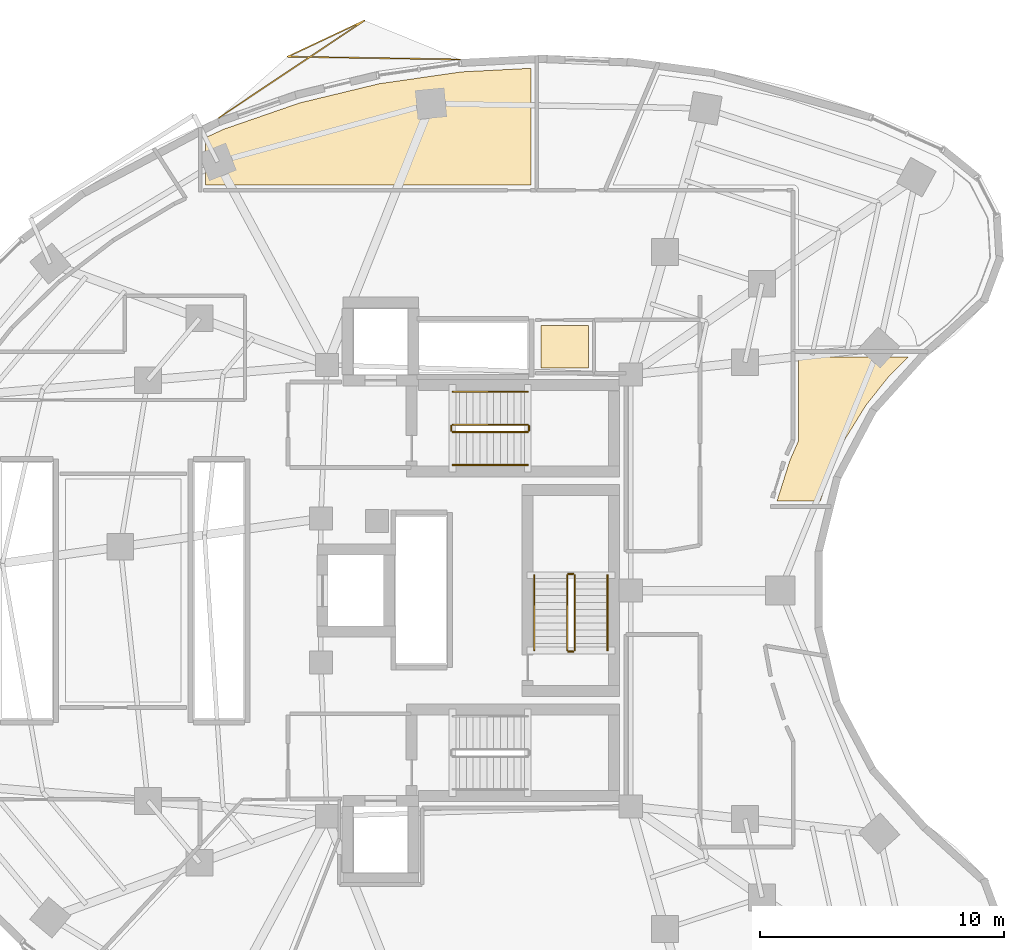
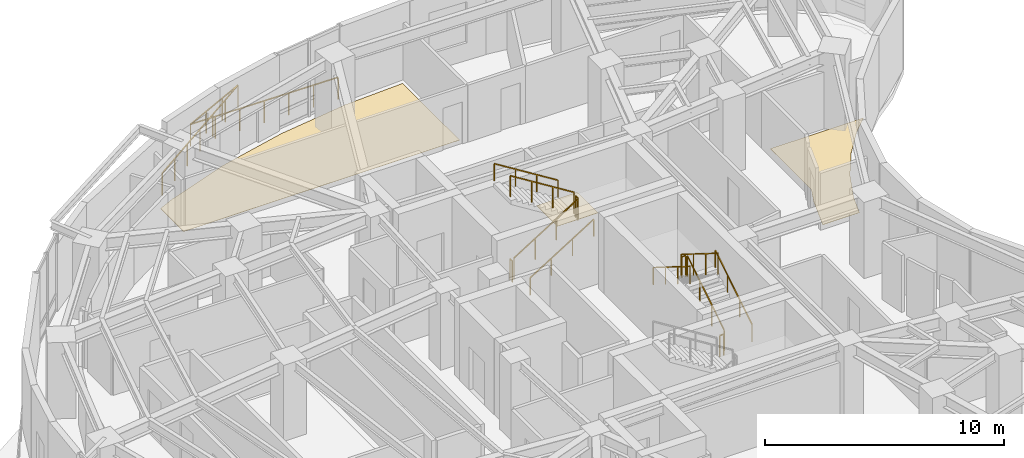
# One storey, part 13 of 14: 13 railings, 3 coverings.
"""IFC4 building model written with IfcOpenShell, lengths in metres."""

import ifcopenshell
import ifcopenshell.guid

model = None  # the IFC model being written
_history = None  # IfcOwnerHistory: only IFC2X3 demands one
_inside = {}  # id of a spatial element -> (the spatial element, [elements in it])
_under = {}  # id of a project, library or spatial element -> (it, [spatial elements below it])
_declared = {}  # id of a project -> (the project, [libraries it declares])
_typed = {}  # id of a type object -> (the type object, [elements of that type])
_made_of = {}  # id of a material, layer set ... -> (it, [elements and type objects made of it])


def new_model(schema):
    """Start an empty IFC model of exactly this schema.

    Asked for "IFC4X3", IfcOpenShell would pick the latest addendum, in which some entities
    have other attributes; the version numbers below select the first issue.
    IFC2X3 requires an IfcOwnerHistory on every rooted entity: one is made here for all.
    """
    global model, _history
    if schema == "IFC4X3":
        model = ifcopenshell.file(schema_version=(4, 3, 0, 0))
    else:
        model = ifcopenshell.file(schema=schema)
    _inside.clear()
    _under.clear()
    _declared.clear()
    _typed.clear()
    _made_of.clear()
    _history = None
    if model.schema == "IFC2X3":
        org = make("IfcOrganization", Name="unknown")
        user = make(
            "IfcPersonAndOrganization",
            ThePerson=make("IfcPerson", FamilyName="unknown"),
            TheOrganization=org,
        )
        app = make(
            "IfcApplication",
            ApplicationDeveloper=org,
            Version="unknown",
            ApplicationFullName="unknown",
            ApplicationIdentifier="unknown",
        )
        _history = make(
            "IfcOwnerHistory",
            OwningUser=user,
            OwningApplication=app,
            ChangeAction="ADDED",
            CreationDate=0,
        )
    return model


def make(cls, **values):
    """One entity of the class cls with the attributes given. An attribute that is None is left unset."""
    return model.create_entity(
        cls, **{name: value for name, value in values.items() if value is not None}
    )


def rooted(cls, **values):
    """An entity with a GlobalId (a new one), such as an element, a storey or a relation."""
    return make(cls, GlobalId=ifcopenshell.guid.new(), OwnerHistory=_history, **values)


def si_unit(unit_type, name, prefix=None):
    """IfcSIUnit, for example si_unit("LENGTHUNIT", "METRE", prefix="MILLI")."""
    return make("IfcSIUnit", UnitType=unit_type, Prefix=prefix, Name=name)


def assignment(units):
    """IfcUnitAssignment: the units of a project."""
    return None if units is None else make("IfcUnitAssignment", Units=units)


def point(xyz):
    """IfcCartesianPoint."""
    return None if xyz is None else make("IfcCartesianPoint", Coordinates=xyz)


def direction(xyz):
    """IfcDirection."""
    return None if xyz is None else make("IfcDirection", DirectionRatios=xyz)


def frame(location, z_axis=None, x_axis=None):
    """IfcAxis2Placement3D, a coordinate frame: its origin and axes. An axis left out is left unset."""
    return make(
        "IfcAxis2Placement3D",
        Location=point(location),
        Axis=direction(z_axis),
        RefDirection=direction(x_axis),
    )


def frame_2d(location, x_axis=None):
    """IfcAxis2Placement2D, a coordinate frame in the plane: its origin and x axis."""
    return make(
        "IfcAxis2Placement2D", Location=point(location), RefDirection=direction(x_axis)
    )


def origin():
    """The frame at (0, 0, 0) with its axes left unset."""
    return frame((0.0, 0.0, 0.0))


def origin_2d():
    """The frame at (0, 0) in the plane with its x axis left unset."""
    return frame_2d((0.0, 0.0))


def place(relative_to, where):
    """IfcLocalPlacement: puts the frame where relative to a parent placement (None: the world)."""
    return make(
        "IfcLocalPlacement", PlacementRelTo=relative_to, RelativePlacement=where
    )


def context(
    kind, dimensions, precision=None, world=None, true_north=None, identifier=None
):
    """IfcGeometricRepresentationContext, for example the 3D "Model" context."""
    return make(
        "IfcGeometricRepresentationContext",
        ContextIdentifier=identifier,
        ContextType=kind,
        CoordinateSpaceDimension=dimensions,
        Precision=precision,
        WorldCoordinateSystem=world,
        TrueNorth=true_north,
    )


def subcontext(parent, identifier, kind, view, scale=None):
    """IfcGeometricRepresentationSubContext, for example "Body" below "Model"."""
    return make(
        "IfcGeometricRepresentationSubContext",
        ContextIdentifier=identifier,
        ContextType=kind,
        ParentContext=parent,
        TargetScale=scale,
        TargetView=view,
    )


def project(units=None, contexts=None):
    """IfcProject with its units and contexts."""
    return rooted(
        "IfcProject",
        Name="project",
        RepresentationContexts=contexts,
        UnitsInContext=assignment(units),
    )


def spatial(cls, under=None, at=None, **own):
    """A site, building, storey or space (cls), placed at a placement, below another one or the project."""
    s = rooted(cls, ObjectPlacement=at, **own)
    if under is not None:
        _under.setdefault(under.id(), (under, []))[1].append(s)
    return s


def polyline(points):
    """IfcPolyline through the points."""
    return make("IfcPolyline", Points=[point(p) for p in points])


def profile(cls, at=None, kind="AREA", **sizes):
    """A parametric profile (cls). Its sizes go by their IFC names, for example OverallWidth=200.0."""
    return make(cls, ProfileType=kind, Position=at, **sizes)


def rectangle(**sizes):
    """IfcRectangleProfileDef."""
    return profile("IfcRectangleProfileDef", **sizes)


def outline(outer, holes=None, kind="AREA"):
    """IfcArbitraryClosedProfileDef: a profile drawn as a closed curve; with holes, ...WithVoids."""
    if holes is None:
        return make("IfcArbitraryClosedProfileDef", ProfileType=kind, OuterCurve=outer)
    return make(
        "IfcArbitraryProfileDefWithVoids",
        ProfileType=kind,
        OuterCurve=outer,
        InnerCurves=holes,
    )


def extrude(swept, where, along, depth):
    """IfcExtrudedAreaSolid: the profile swept, set in the frame where, extruded along a direction by depth."""
    return make(
        "IfcExtrudedAreaSolid",
        SweptArea=swept,
        Position=where,
        ExtrudedDirection=direction(along),
        Depth=depth,
    )


def shape(context_of_items, identifier, shape_type, items):
    """IfcShapeRepresentation: the items that make up one representation, for example the "Body"."""
    return make(
        "IfcShapeRepresentation",
        ContextOfItems=context_of_items,
        RepresentationIdentifier=identifier,
        RepresentationType=shape_type,
        Items=items,
    )


def material(Name=None, Category=None):
    """IfcMaterial."""
    return make("IfcMaterial", Name=Name, Category=Category)


def layer(
    of_material, thickness, ventilated=None, Name=None, Category=None, Priority=None
):
    """IfcMaterialLayer: one layer of a wall or slab, of a material (None: an air gap)."""
    return make(
        "IfcMaterialLayer",
        Material=of_material,
        LayerThickness=thickness,
        IsVentilated=ventilated,
        Name=Name,
        Category=Category,
        Priority=Priority,
    )


def layer_set(layers, Name=None):
    """IfcMaterialLayerSet."""
    return make("IfcMaterialLayerSet", MaterialLayers=layers, LayerSetName=Name)


def made_of(thing, what):
    """Note that an element or type object is made of a material, layer set ...; save() writes the relation."""
    if what is not None:
        _made_of.setdefault(what.id(), (what, []))[1].append(thing)
    return thing


def type_object(cls, material=None, **own):
    """A type object (cls), such as IfcWallType, which elements share."""
    return made_of(rooted(cls, **own), material)


def element(
    cls,
    number,
    at=None,
    inside=None,
    cuts=None,
    type_object=None,
    material=None,
    context=None,
    identifier="Body",
    shape_type=None,
    held_by="IfcProductDefinitionShape",
    body=None,
    shapes=None,
    **own,
):
    """One element of the class cls, such as IfcWall. Its Tag is "e" and its number.

    at: its placement. inside: the storey or other place that contains it. cuts: it is an
    opening in that element (IfcRelVoidsElement). A single representation is given by context,
    identifier, shape_type and body (its items); several are given by shapes. held_by: the class
    of the entity that holds the representations. save() writes the other relations.
    """
    e = rooted(cls, Tag="e%d" % number, ObjectPlacement=at, **own)
    if body is not None:
        shapes = [shape(context, identifier, shape_type, body)]
    if shapes is not None:
        e.Representation = make(held_by, Representations=shapes)
    if inside is not None:
        _inside.setdefault(inside.id(), (inside, []))[1].append(e)
    if cuts is not None:
        rooted(
            "IfcRelVoidsElement", RelatingBuildingElement=cuts, RelatedOpeningElement=e
        )
    if type_object is not None:
        _typed.setdefault(type_object.id(), (type_object, []))[1].append(e)
    return made_of(e, material)


def aggregate(whole, parts):
    """IfcRelAggregates: a whole, such as a stair, and the parts it consists of."""
    return rooted("IfcRelAggregates", RelatingObject=whole, RelatedObjects=parts)


def save(model, path):
    """Write the relations noted so far, then the file.

    IfcRelAggregates (storeys below a building ...), IfcRelContainedInSpatialStructure (elements
    in a storey), IfcRelDefinesByType, IfcRelAssociatesMaterial and IfcRelDeclares: one each for
    every whole, place, type object, material and project.
    """
    for whole, parts in _under.values():
        aggregate(whole, parts)
    for where, things in _inside.values():
        rooted(
            "IfcRelContainedInSpatialStructure",
            RelatedElements=things,
            RelatingStructure=where,
        )
    for kind, things in _typed.values():
        rooted("IfcRelDefinesByType", RelatedObjects=things, RelatingType=kind)
    for what, things in _made_of.values():
        rooted("IfcRelAssociatesMaterial", RelatedObjects=things, RelatingMaterial=what)
    for by, libraries in _declared.values():
        rooted("IfcRelDeclares", RelatingContext=by, RelatedDefinitions=libraries)
    model.write(path)


model = new_model("IFC4")

# Units and contexts
model_context = context("Model", 3, precision=1e-05, world=origin(), true_north=direction((0.0, 1.0)))
body_context = subcontext(model_context, "Body", "Model", "MODEL_VIEW")
ifc_project = project(units=[si_unit("LENGTHUNIT", "METRE"), si_unit("AREAUNIT", "SQUARE_METRE"), si_unit("VOLUMEUNIT", "CUBIC_METRE"), si_unit("PLANEANGLEUNIT", "RADIAN"), si_unit("MASSUNIT", "GRAM", prefix="KILO")], contexts=[model_context])

# Site, building, storey
site_placement = place(None, origin())
site = spatial("IfcSite", under=ifc_project, at=site_placement, CompositionType="ELEMENT")
building_placement = place(site_placement, origin())
building = spatial("IfcBuilding", under=site, at=building_placement, Name="Korentha Bioscience Tower", CompositionType="ELEMENT")
storey_placement = place(building_placement, frame((0.0, 0.0, 102.60009765625)))
storey = spatial("IfcBuildingStorey", under=building, at=storey_placement, Name="L23", CompositionType="ELEMENT", Elevation=102.60009765625)

# Covering
ifc_material_1 = material(Name="Vitrified Porcelain Tile", Category="ceramic")
ifc_layer_1 = layer(ifc_material_1, 0.014892578125, Name="Vitrified Porcelain Tile")
ifc_layer_set_1 = layer_set([ifc_layer_1], Name="Vitrified Porcelain Tile (FL-CER)")
covering_type_1 = type_object("IfcCoveringType", Name="Anti-Slip Ceramic Wet-Room Tile Flooring 15", PredefinedType="FLOORING", material=ifc_layer_set_1)
covering_1_placement = place(storey_placement, origin())
element("IfcCovering", 1, at=covering_1_placement, inside=storey, type_object=covering_type_1, Name="L23 Accessible Staff WC Floor Finish", PredefinedType="FLOORING", context=body_context, shape_type="SweptSolid", body=[
    extrude(outline(polyline([(33.8701171875, 36.1298828125), (33.8701171875, 37.8701171875), (35.830078125, 37.8701171875), (35.830078125, 36.1298828125), (33.8701171875, 36.1298828125)])), origin(), (0.0, 0.0, 1.0), 0.014892578125),
])

# Railings
ifc_material_2 = material(Name="Stainless Steel 304", Category="steel")
railing_type_1 = type_object("IfcRailingType", Name="Brushed Stainless Stair Handrail 900", PredefinedType="HANDRAIL", material=ifc_material_2)
railing_1_placement = place(storey_placement, frame((30.25, 32.14990234375, 0.1748046875)))
element("IfcRailing", 2, at=railing_1_placement, inside=storey, type_object=railing_type_1, Name="L23 ST-1 stair handrail 1", PredefinedType="HANDRAIL", context=body_context, shape_type="SweptSolid", body=[
    extrude(rectangle(XDim=0.048095703125, YDim=0.048095703125, at=origin_2d()), frame((0.0, 0.0, 0.8759765625), z_axis=(0.847998304005, 0.0, 0.529998940003), x_axis=(0.0, 1.0, 0.0)), (0.0, 0.0, 1.0), 3.632080078125),
    extrude(rectangle(XDim=0.0419921875, YDim=0.0419921875, at=origin_2d()), origin(), (0.0, 0.0, 1.0), 0.851806640625),
    extrude(rectangle(XDim=0.0419921875, YDim=0.0419921875, at=origin_2d()), frame((1.026611328125, 0.0, 0.6416015625)), (0.0, 0.0, 1.0), 0.851806640625),
    extrude(rectangle(XDim=0.0419921875, YDim=0.0419921875, at=origin_2d()), frame((2.053466796875, 0.0, 1.283447265625)), (0.0, 0.0, 1.0), 0.851806640625),
    extrude(rectangle(XDim=0.0419921875, YDim=0.0419921875, at=origin_2d()), frame((3.080078125, 0.0, 1.925048828125)), (0.0, 0.0, 1.0), 0.851806640625),
])
railing_2_placement = place(storey_placement, frame((33.330078125, 35.14990234375, 2.27490234375)))
element("IfcRailing", 3, at=railing_2_placement, inside=storey, type_object=railing_type_1, Name="L23 ST-1 stair handrail 2", PredefinedType="HANDRAIL", context=body_context, shape_type="SweptSolid", body=[
    extrude(rectangle(XDim=0.048095703125, YDim=0.048095703125, at=origin_2d()), frame((0.0, 0.0, 0.8759765625), z_axis=(-0.847998304005, 0.0, 0.529998940003), x_axis=(0.0, -1.0, 0.0)), (0.0, 0.0, 1.0), 3.632080078125),
    extrude(rectangle(XDim=0.0419921875, YDim=0.0419921875, at=origin_2d()), origin(), (0.0, 0.0, 1.0), 0.851806640625),
    extrude(rectangle(XDim=0.0419921875, YDim=0.0419921875, at=origin_2d()), frame((-1.026611328125, 0.0, 0.6416015625)), (0.0, 0.0, 1.0), 0.851806640625),
    extrude(rectangle(XDim=0.0419921875, YDim=0.0419921875, at=origin_2d()), frame((-2.053466796875, 0.0, 1.283447265625)), (0.0, 0.0, 1.0), 0.851806640625),
    extrude(rectangle(XDim=0.0419921875, YDim=0.0419921875, at=origin_2d()), frame((-3.080078125, 0.0, 1.925048828125)), (0.0, 0.0, 1.0), 0.851806640625),
])
railing_3_placement = place(storey_placement, frame((36.60009765625, 24.550048828125, 0.1748046875)))
element("IfcRailing", 4, at=railing_3_placement, inside=storey, type_object=railing_type_1, Name="L23 ST-3 stair handrail 1", PredefinedType="HANDRAIL", context=body_context, shape_type="SweptSolid", body=[
    extrude(rectangle(XDim=0.048095703125, YDim=0.048095703125, at=origin_2d()), frame((0.0, 0.0, 0.8759765625), z_axis=(0.0, 0.847979421464, 0.530029150871), x_axis=(-1.0, 0.0, 0.0)), (0.0, 0.0, 1.0), 3.632080078125),
    extrude(rectangle(XDim=0.0419921875, YDim=0.0419921875, at=origin_2d()), origin(), (0.0, 0.0, 1.0), 0.851806640625),
    extrude(rectangle(XDim=0.0419921875, YDim=0.0419921875, at=origin_2d()), frame((0.0, 1.026611328125, 0.6416015625)), (0.0, 0.0, 1.0), 0.851806640625),
    extrude(rectangle(XDim=0.0419921875, YDim=0.0419921875, at=origin_2d()), frame((0.0, 2.05322265625, 1.283447265625)), (0.0, 0.0, 1.0), 0.851806640625),
    extrude(rectangle(XDim=0.0419921875, YDim=0.0419921875, at=origin_2d()), frame((0.0, 3.079833984375, 1.925048828125)), (0.0, 0.0, 1.0), 0.851806640625),
])
railing_4_placement = place(storey_placement, frame((33.60009765625, 27.6298828125, 2.27490234375)))
element("IfcRailing", 5, at=railing_4_placement, inside=storey, type_object=railing_type_1, Name="L23 ST-3 stair handrail 2", PredefinedType="HANDRAIL", context=body_context, shape_type="SweptSolid", body=[
    extrude(rectangle(XDim=0.048095703125, YDim=0.048095703125, at=origin_2d()), frame((0.0, 0.0, 0.8759765625), z_axis=(0.0, -0.847979421464, 0.530029150871), x_axis=(1.0, 0.0, 0.0)), (0.0, 0.0, 1.0), 3.632080078125),
    extrude(rectangle(XDim=0.0419921875, YDim=0.0419921875, at=origin_2d()), origin(), (0.0, 0.0, 1.0), 0.851806640625),
    extrude(rectangle(XDim=0.0419921875, YDim=0.0419921875, at=origin_2d()), frame((0.0, -1.026611328125, 0.6416015625)), (0.0, 0.0, 1.0), 0.851806640625),
    extrude(rectangle(XDim=0.0419921875, YDim=0.0419921875, at=origin_2d()), frame((0.0, -2.05322265625, 1.283447265625)), (0.0, 0.0, 1.0), 0.851806640625),
    extrude(rectangle(XDim=0.0419921875, YDim=0.0419921875, at=origin_2d()), frame((0.0, -3.079833984375, 1.925048828125)), (0.0, 0.0, 1.0), 0.851806640625),
])
ifc_material_3 = material(Name="Laminated Tempered Safety Glass", Category="glass")
railing_type_2 = type_object("IfcRailingType", Name="Laminated Glass Balcony Guardrail 1150", PredefinedType="BALUSTRADE", material=ifc_material_3)
railing_5_placement = place(storey_placement, frame((30.558349609375, 48.7685546875, 0.0)))
element("IfcRailing", 6, at=railing_5_placement, inside=storey, type_object=railing_type_2, Name="L23 Balcony Guardrail 01", PredefinedType="BALUSTRADE", context=body_context, shape_type="SweptSolid", body=[
    extrude(rectangle(XDim=0.048095703125, YDim=0.048095703125, at=origin_2d()), frame((0.0, 0.0, 1.1259765625), z_axis=(-0.999865487558, 0.01640142648, 0.0), x_axis=(-0.01640142648, -0.999865487558, 0.0)), (0.0, 0.0, 1.0), 7.070556640625),
    extrude(rectangle(XDim=0.048095703125, YDim=0.048095703125, at=origin_2d()), frame((-7.069580078125, 0.115966796875, 1.1259765625), z_axis=(0.904931572143, 0.425557105144, 0.0), x_axis=(-0.425557105144, 0.904931572143, 0.0)), (0.0, 0.0, 1.0), 3.4794921875),
    extrude(rectangle(XDim=0.048095703125, YDim=0.048095703125, at=origin_2d()), frame((-3.9208984375, 1.5966796875, 1.1259765625), z_axis=(-0.831683894914, -0.555249402468, 0.0), x_axis=(0.555249402468, -0.831683894914, 0.0)), (0.0, 0.0, 1.0), 7.179443359375),
    extrude(rectangle(XDim=0.0419921875, YDim=0.0419921875, at=origin_2d()), origin(), (0.0, 0.0, 1.0), 1.101806640625),
    extrude(rectangle(XDim=0.0419921875, YDim=0.0419921875, at=origin_2d()), frame((-1.17822265625, 0.019287109375, 0.0)), (0.0, 0.0, 1.0), 1.101806640625),
    extrude(rectangle(XDim=0.0419921875, YDim=0.0419921875, at=origin_2d()), frame((-2.3564453125, 0.03857421875, 0.0)), (0.0, 0.0, 1.0), 1.101806640625),
    extrude(rectangle(XDim=0.0419921875, YDim=0.0419921875, at=origin_2d()), frame((-3.53466796875, 0.05810546875, 0.0)), (0.0, 0.0, 1.0), 1.101806640625),
    extrude(rectangle(XDim=0.0419921875, YDim=0.0419921875, at=origin_2d()), frame((-4.713134765625, 0.077392578125, 0.0)), (0.0, 0.0, 1.0), 1.101806640625),
    extrude(rectangle(XDim=0.0419921875, YDim=0.0419921875, at=origin_2d()), frame((-5.891357421875, 0.0966796875, 0.0)), (0.0, 0.0, 1.0), 1.101806640625),
    extrude(rectangle(XDim=0.0419921875, YDim=0.0419921875, at=origin_2d()), frame((-7.069580078125, 0.115966796875, 0.0)), (0.0, 0.0, 1.0), 1.101806640625),
    extrude(rectangle(XDim=0.0419921875, YDim=0.0419921875, at=origin_2d()), frame((-6.02001953125, 0.609619140625, 0.0)), (0.0, 0.0, 1.0), 1.101806640625),
    extrude(rectangle(XDim=0.0419921875, YDim=0.0419921875, at=origin_2d()), frame((-4.970458984375, 1.10302734375, 0.0)), (0.0, 0.0, 1.0), 1.101806640625),
    extrude(rectangle(XDim=0.0419921875, YDim=0.0419921875, at=origin_2d()), frame((-3.9208984375, 1.5966796875, 0.0)), (0.0, 0.0, 1.0), 1.101806640625),
    extrude(rectangle(XDim=0.0419921875, YDim=0.0419921875, at=origin_2d()), frame((-4.916015625, 0.932373046875, 0.0)), (0.0, 0.0, 1.0), 1.101806640625),
    extrude(rectangle(XDim=0.0419921875, YDim=0.0419921875, at=origin_2d()), frame((-5.9111328125, 0.267822265625, 0.0)), (0.0, 0.0, 1.0), 1.101806640625),
    extrude(rectangle(XDim=0.0419921875, YDim=0.0419921875, at=origin_2d()), frame((-6.90625, -0.396484375, 0.0)), (0.0, 0.0, 1.0), 1.101806640625),
    extrude(rectangle(XDim=0.0419921875, YDim=0.0419921875, at=origin_2d()), frame((-7.901611328125, -1.060791015625, 0.0)), (0.0, 0.0, 1.0), 1.101806640625),
    extrude(rectangle(XDim=0.0419921875, YDim=0.0419921875, at=origin_2d()), frame((-8.896728515625, -1.725341796875, 0.0)), (0.0, 0.0, 1.0), 1.101806640625),
    extrude(rectangle(XDim=0.0419921875, YDim=0.0419921875, at=origin_2d()), frame((-9.891845703125, -2.3896484375, 0.0)), (0.0, 0.0, 1.0), 1.101806640625),
])
ifc_material_4 = material(Name="Painted Steel S275", Category="steel")
railing_type_3 = type_object("IfcRailingType", Name="Painted Steel Stair Well Guardrail 1100", PredefinedType="GUARDRAIL", material=ifc_material_4)
railing_6_placement = place(storey_placement, frame((30.25, 33.5, 0.1748046875)))
element("IfcRailing", 7, at=railing_6_placement, inside=storey, type_object=railing_type_3, Name="L23 ST-1 stair guard 1", PredefinedType="GUARDRAIL", context=body_context, shape_type="SweptSolid", body=[
    extrude(rectangle(XDim=0.048095703125, YDim=0.048095703125, at=origin_2d()), frame((0.0, 0.0, 1.076171875), z_axis=(0.847998304005, 0.0, 0.529998940003), x_axis=(0.0, 1.0, 0.0)), (0.0, 0.0, 1.0), 3.632080078125),
    extrude(rectangle(XDim=0.0419921875, YDim=0.0419921875, at=origin_2d()), origin(), (0.0, 0.0, 1.0), 1.052001953125),
    extrude(rectangle(XDim=0.0419921875, YDim=0.0419921875, at=origin_2d()), frame((1.026611328125, 0.0, 0.6416015625)), (0.0, 0.0, 1.0), 1.052001953125),
    extrude(rectangle(XDim=0.0419921875, YDim=0.0419921875, at=origin_2d()), frame((2.053466796875, 0.0, 1.283447265625)), (0.0, 0.0, 1.0), 1.052001953125),
    extrude(rectangle(XDim=0.0419921875, YDim=0.0419921875, at=origin_2d()), frame((3.080078125, 0.0, 1.925048828125)), (0.0, 0.0, 1.0), 1.052001953125),
])
railing_7_placement = place(storey_placement, frame((33.3798828125, 33.550048828125, 2.099853515625)))
element("IfcRailing", 8, at=railing_7_placement, inside=storey, type_object=railing_type_3, Name="L23 ST-1 stair guard 2", PredefinedType="GUARDRAIL", context=body_context, shape_type="SweptSolid", body=[
    extrude(rectangle(XDim=0.048095703125, YDim=0.048095703125, at=origin_2d()), frame((0.0, 0.0, 1.076171875), z_axis=(0.0, 1.0, 0.0), x_axis=(-1.0, 0.0, 0.0)), (0.0, 0.0, 1.0), 0.199951171875),
    extrude(rectangle(XDim=0.0419921875, YDim=0.0419921875, at=origin_2d()), origin(), (0.0, 0.0, 1.0), 1.052001953125),
    extrude(rectangle(XDim=0.0419921875, YDim=0.0419921875, at=origin_2d()), frame((0.0, 0.199951171875, 0.0)), (0.0, 0.0, 1.0), 1.052001953125),
])
railing_8_placement = place(storey_placement, frame((33.330078125, 33.800048828125, 2.27490234375)))
element("IfcRailing", 9, at=railing_8_placement, inside=storey, type_object=railing_type_3, Name="L23 ST-1 stair guard 3", PredefinedType="GUARDRAIL", context=body_context, shape_type="SweptSolid", body=[
    extrude(rectangle(XDim=0.048095703125, YDim=0.048095703125, at=origin_2d()), frame((0.0, 0.0, 1.076171875), z_axis=(-0.847998304005, 0.0, 0.529998940003), x_axis=(0.0, -1.0, 0.0)), (0.0, 0.0, 1.0), 3.632080078125),
    extrude(rectangle(XDim=0.0419921875, YDim=0.0419921875, at=origin_2d()), origin(), (0.0, 0.0, 1.0), 1.052001953125),
    extrude(rectangle(XDim=0.0419921875, YDim=0.0419921875, at=origin_2d()), frame((-1.026611328125, 0.0, 0.6416015625)), (0.0, 0.0, 1.0), 1.052001953125),
    extrude(rectangle(XDim=0.0419921875, YDim=0.0419921875, at=origin_2d()), frame((-2.053466796875, 0.0, 1.283447265625)), (0.0, 0.0, 1.0), 1.052001953125),
    extrude(rectangle(XDim=0.0419921875, YDim=0.0419921875, at=origin_2d()), frame((-3.080078125, 0.0, 1.925048828125)), (0.0, 0.0, 1.0), 1.052001953125),
])
railing_9_placement = place(storey_placement, frame((30.199951171875, 33.550048828125, 0.0)))
element("IfcRailing", 10, at=railing_9_placement, inside=storey, type_object=railing_type_3, Name="L23 ST-1 stair guard 4", PredefinedType="GUARDRAIL", context=body_context, shape_type="SweptSolid", body=[
    extrude(rectangle(XDim=0.048095703125, YDim=0.048095703125, at=origin_2d()), frame((0.0, 0.0, 1.076171875), z_axis=(0.0, 1.0, 0.0), x_axis=(-1.0, 0.0, 0.0)), (0.0, 0.0, 1.0), 0.199951171875),
    extrude(rectangle(XDim=0.0419921875, YDim=0.0419921875, at=origin_2d()), origin(), (0.0, 0.0, 1.0), 1.052001953125),
    extrude(rectangle(XDim=0.0419921875, YDim=0.0419921875, at=origin_2d()), frame((0.0, 0.199951171875, 0.0)), (0.0, 0.0, 1.0), 1.052001953125),
])
railing_10_placement = place(storey_placement, frame((35.25, 24.550048828125, 0.1748046875)))
element("IfcRailing", 11, at=railing_10_placement, inside=storey, type_object=railing_type_3, Name="L23 ST-3 stair guard 1", PredefinedType="GUARDRAIL", context=body_context, shape_type="SweptSolid", body=[
    extrude(rectangle(XDim=0.048095703125, YDim=0.048095703125, at=origin_2d()), frame((0.0, 0.0, 1.076171875), z_axis=(0.0, 0.847979421464, 0.530029150871), x_axis=(-1.0, 0.0, 0.0)), (0.0, 0.0, 1.0), 3.632080078125),
    extrude(rectangle(XDim=0.0419921875, YDim=0.0419921875, at=origin_2d()), origin(), (0.0, 0.0, 1.0), 1.052001953125),
    extrude(rectangle(XDim=0.0419921875, YDim=0.0419921875, at=origin_2d()), frame((0.0, 1.026611328125, 0.6416015625)), (0.0, 0.0, 1.0), 1.052001953125),
    extrude(rectangle(XDim=0.0419921875, YDim=0.0419921875, at=origin_2d()), frame((0.0, 2.05322265625, 1.283447265625)), (0.0, 0.0, 1.0), 1.052001953125),
    extrude(rectangle(XDim=0.0419921875, YDim=0.0419921875, at=origin_2d()), frame((0.0, 3.079833984375, 1.925048828125)), (0.0, 0.0, 1.0), 1.052001953125),
])
railing_11_placement = place(storey_placement, frame((35.199951171875, 27.679931640625, 2.099853515625)))
element("IfcRailing", 12, at=railing_11_placement, inside=storey, type_object=railing_type_3, Name="L23 ST-3 stair guard 2", PredefinedType="GUARDRAIL", context=body_context, shape_type="SweptSolid", body=[
    extrude(rectangle(XDim=0.048095703125, YDim=0.048095703125, at=origin_2d()), frame((0.0, 0.0, 1.076171875), z_axis=(-1.0, 0.0, 0.0), x_axis=(0.0, -1.0, 0.0)), (0.0, 0.0, 1.0), 0.199951171875),
    extrude(rectangle(XDim=0.0419921875, YDim=0.0419921875, at=origin_2d()), origin(), (0.0, 0.0, 1.0), 1.052001953125),
    extrude(rectangle(XDim=0.0419921875, YDim=0.0419921875, at=origin_2d()), frame((-0.199951171875, 0.0, 0.0)), (0.0, 0.0, 1.0), 1.052001953125),
])
railing_12_placement = place(storey_placement, frame((34.949951171875, 27.6298828125, 2.27490234375)))
element("IfcRailing", 13, at=railing_12_placement, inside=storey, type_object=railing_type_3, Name="L23 ST-3 stair guard 3", PredefinedType="GUARDRAIL", context=body_context, shape_type="SweptSolid", body=[
    extrude(rectangle(XDim=0.048095703125, YDim=0.048095703125, at=origin_2d()), frame((0.0, 0.0, 1.076171875), z_axis=(0.0, -0.847979421464, 0.530029150871), x_axis=(1.0, 0.0, 0.0)), (0.0, 0.0, 1.0), 3.632080078125),
    extrude(rectangle(XDim=0.0419921875, YDim=0.0419921875, at=origin_2d()), origin(), (0.0, 0.0, 1.0), 1.052001953125),
    extrude(rectangle(XDim=0.0419921875, YDim=0.0419921875, at=origin_2d()), frame((0.0, -1.026611328125, 0.6416015625)), (0.0, 0.0, 1.0), 1.052001953125),
    extrude(rectangle(XDim=0.0419921875, YDim=0.0419921875, at=origin_2d()), frame((0.0, -2.05322265625, 1.283447265625)), (0.0, 0.0, 1.0), 1.052001953125),
    extrude(rectangle(XDim=0.0419921875, YDim=0.0419921875, at=origin_2d()), frame((0.0, -3.079833984375, 1.925048828125)), (0.0, 0.0, 1.0), 1.052001953125),
])
railing_13_placement = place(storey_placement, frame((35.199951171875, 24.5, 0.0)))
element("IfcRailing", 14, at=railing_13_placement, inside=storey, type_object=railing_type_3, Name="L23 ST-3 stair guard 4", PredefinedType="GUARDRAIL", context=body_context, shape_type="SweptSolid", body=[
    extrude(rectangle(XDim=0.048095703125, YDim=0.048095703125, at=origin_2d()), frame((0.0, 0.0, 1.076171875), z_axis=(-1.0, 0.0, 0.0), x_axis=(0.0, -1.0, 0.0)), (0.0, 0.0, 1.0), 0.199951171875),
    extrude(rectangle(XDim=0.0419921875, YDim=0.0419921875, at=origin_2d()), origin(), (0.0, 0.0, 1.0), 1.052001953125),
    extrude(rectangle(XDim=0.0419921875, YDim=0.0419921875, at=origin_2d()), frame((-0.199951171875, 0.0, 0.0)), (0.0, 0.0, 1.0), 1.052001953125),
])

# Coverings
ifc_material_5 = material(Name="Chemical-Resistant Epoxy Resin", Category="polymer")
ifc_layer_2 = layer(ifc_material_5, 0.011962890625, Name="Chemical-Resistant Epoxy Resin")
ifc_layer_set_2 = layer_set([ifc_layer_2], Name="Chemical-Resistant Epoxy Resin (FL-EPX)")
covering_type_2 = type_object("IfcCoveringType", Name="Seamless Epoxy Laboratory Flooring 12", PredefinedType="FLOORING", material=ifc_layer_set_2)
covering_2_placement = place(storey_placement, origin())
element("IfcCovering", 15, at=covering_2_placement, inside=storey, type_object=covering_type_2, Name="L23 Biospecimen Archive Store 04 Floor Finish", PredefinedType="FLOORING", context=body_context, shape_type="SweptSolid", body=[
    extrude(outline(polyline([(43.54931640625, 30.672119140625), (44.07373046875, 32.330078125), (44.427001953125, 33.138916015625), (44.429931640625, 36.577880859375), (48.93115234375, 36.577880859375), (48.169677734375, 35.826171875), (47.19580078125, 34.602294921875), (46.349853515625, 33.22900390625), (45.67236328125, 31.75048828125), (45.32958984375, 30.672119140625), (43.54931640625, 30.672119140625)])), origin(), (0.0, 0.0, 1.0), 0.011962890625),
])
covering_3_placement = place(storey_placement, origin())
element("IfcCovering", 16, at=covering_3_placement, inside=storey, type_object=covering_type_2, Name="L23 PCR Amplification Cleanroom 08 Floor Finish", PredefinedType="FLOORING", context=body_context, shape_type="SweptSolid", body=[
    extrude(outline(polyline([(20.857666015625, 45.905517578125), (23.972900390625, 46.98486328125), (27.239013671875, 47.77392578125), (30.60791015625, 48.260498046875), (33.471923828125, 48.407958984375), (33.471923828125, 43.6298828125), (20.1220703125, 43.6298828125), (20.1220703125, 45.564208984375), (20.857666015625, 45.905517578125)])), origin(), (0.0, 0.0, 1.0), 0.011962890625),
])

save(model, "model.ifc")
